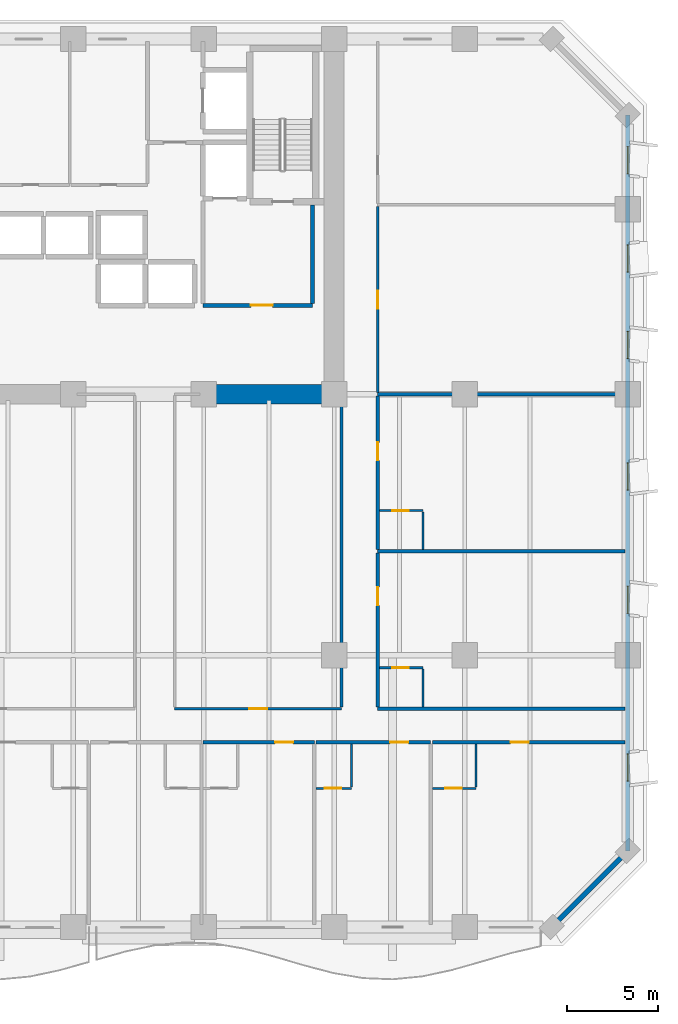
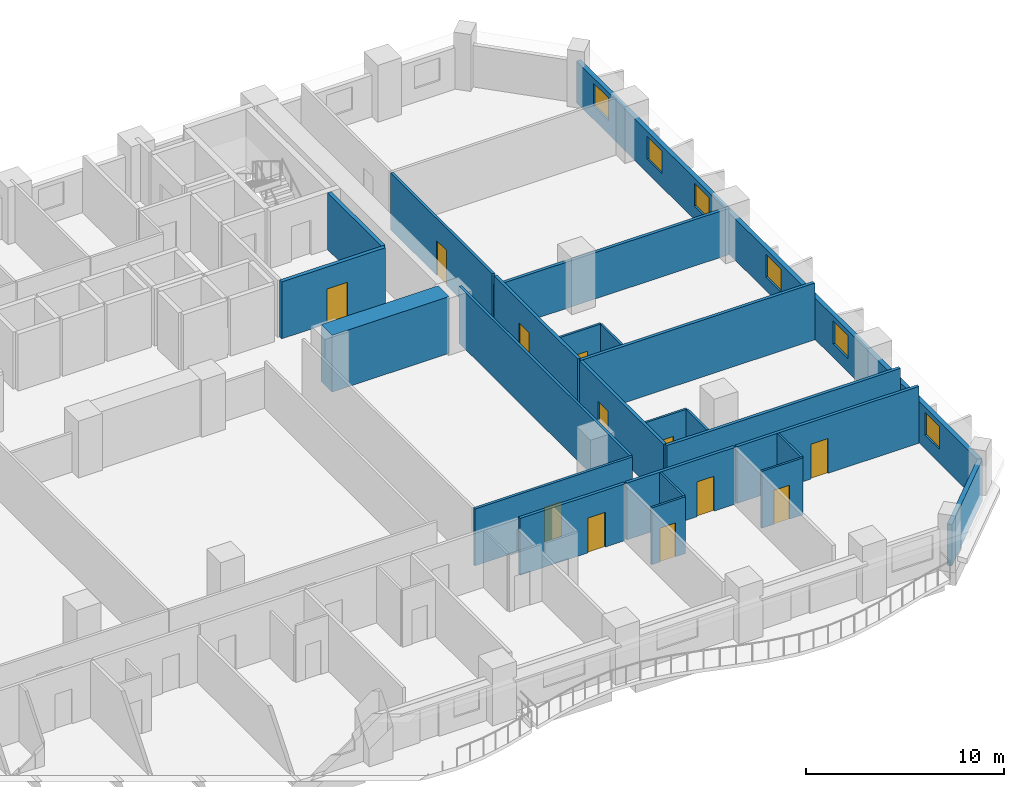
# One storey, part 10 of 15: 24 walls, 12 doors, 6 windows, 18 openings.
"""IFC4 building model written with IfcOpenShell, lengths in metres."""

import ifcopenshell
import ifcopenshell.guid

model = None  # the IFC model being written
_history = None  # IfcOwnerHistory: only IFC2X3 demands one
_inside = {}  # id of a spatial element -> (the spatial element, [elements in it])
_under = {}  # id of a project, library or spatial element -> (it, [spatial elements below it])
_declared = {}  # id of a project -> (the project, [libraries it declares])
_typed = {}  # id of a type object -> (the type object, [elements of that type])
_made_of = {}  # id of a material, layer set ... -> (it, [elements and type objects made of it])


def new_model(schema):
    """Start an empty IFC model of exactly this schema.

    Asked for "IFC4X3", IfcOpenShell would pick the latest addendum, in which some entities
    have other attributes; the version numbers below select the first issue.
    IFC2X3 requires an IfcOwnerHistory on every rooted entity: one is made here for all.
    """
    global model, _history
    if schema == "IFC4X3":
        model = ifcopenshell.file(schema_version=(4, 3, 0, 0))
    else:
        model = ifcopenshell.file(schema=schema)
    _inside.clear()
    _under.clear()
    _declared.clear()
    _typed.clear()
    _made_of.clear()
    _history = None
    if model.schema == "IFC2X3":
        org = make("IfcOrganization", Name="unknown")
        user = make(
            "IfcPersonAndOrganization",
            ThePerson=make("IfcPerson", FamilyName="unknown"),
            TheOrganization=org,
        )
        app = make(
            "IfcApplication",
            ApplicationDeveloper=org,
            Version="unknown",
            ApplicationFullName="unknown",
            ApplicationIdentifier="unknown",
        )
        _history = make(
            "IfcOwnerHistory",
            OwningUser=user,
            OwningApplication=app,
            ChangeAction="ADDED",
            CreationDate=0,
        )
    return model


def make(cls, **values):
    """One entity of the class cls with the attributes given. An attribute that is None is left unset."""
    return model.create_entity(
        cls, **{name: value for name, value in values.items() if value is not None}
    )


def rooted(cls, **values):
    """An entity with a GlobalId (a new one), such as an element, a storey or a relation."""
    return make(cls, GlobalId=ifcopenshell.guid.new(), OwnerHistory=_history, **values)


def si_unit(unit_type, name, prefix=None):
    """IfcSIUnit, for example si_unit("LENGTHUNIT", "METRE", prefix="MILLI")."""
    return make("IfcSIUnit", UnitType=unit_type, Prefix=prefix, Name=name)


def assignment(units):
    """IfcUnitAssignment: the units of a project."""
    return None if units is None else make("IfcUnitAssignment", Units=units)


def point(xyz):
    """IfcCartesianPoint."""
    return None if xyz is None else make("IfcCartesianPoint", Coordinates=xyz)


def direction(xyz):
    """IfcDirection."""
    return None if xyz is None else make("IfcDirection", DirectionRatios=xyz)


def frame(location, z_axis=None, x_axis=None):
    """IfcAxis2Placement3D, a coordinate frame: its origin and axes. An axis left out is left unset."""
    return make(
        "IfcAxis2Placement3D",
        Location=point(location),
        Axis=direction(z_axis),
        RefDirection=direction(x_axis),
    )


def frame_2d(location, x_axis=None):
    """IfcAxis2Placement2D, a coordinate frame in the plane: its origin and x axis."""
    return make(
        "IfcAxis2Placement2D", Location=point(location), RefDirection=direction(x_axis)
    )


def origin():
    """The frame at (0, 0, 0) with its axes left unset."""
    return frame((0.0, 0.0, 0.0))


def place(relative_to, where):
    """IfcLocalPlacement: puts the frame where relative to a parent placement (None: the world)."""
    return make(
        "IfcLocalPlacement", PlacementRelTo=relative_to, RelativePlacement=where
    )


def context(
    kind, dimensions, precision=None, world=None, true_north=None, identifier=None
):
    """IfcGeometricRepresentationContext, for example the 3D "Model" context."""
    return make(
        "IfcGeometricRepresentationContext",
        ContextIdentifier=identifier,
        ContextType=kind,
        CoordinateSpaceDimension=dimensions,
        Precision=precision,
        WorldCoordinateSystem=world,
        TrueNorth=true_north,
    )


def subcontext(parent, identifier, kind, view, scale=None):
    """IfcGeometricRepresentationSubContext, for example "Body" below "Model"."""
    return make(
        "IfcGeometricRepresentationSubContext",
        ContextIdentifier=identifier,
        ContextType=kind,
        ParentContext=parent,
        TargetScale=scale,
        TargetView=view,
    )


def project(units=None, contexts=None):
    """IfcProject with its units and contexts."""
    return rooted(
        "IfcProject",
        Name="project",
        RepresentationContexts=contexts,
        UnitsInContext=assignment(units),
    )


def spatial(cls, under=None, at=None, **own):
    """A site, building, storey or space (cls), placed at a placement, below another one or the project."""
    s = rooted(cls, ObjectPlacement=at, **own)
    if under is not None:
        _under.setdefault(under.id(), (under, []))[1].append(s)
    return s


def profile(cls, at=None, kind="AREA", **sizes):
    """A parametric profile (cls). Its sizes go by their IFC names, for example OverallWidth=200.0."""
    return make(cls, ProfileType=kind, Position=at, **sizes)


def rectangle(**sizes):
    """IfcRectangleProfileDef."""
    return profile("IfcRectangleProfileDef", **sizes)


def extrude(swept, where, along, depth):
    """IfcExtrudedAreaSolid: the profile swept, set in the frame where, extruded along a direction by depth."""
    return make(
        "IfcExtrudedAreaSolid",
        SweptArea=swept,
        Position=where,
        ExtrudedDirection=direction(along),
        Depth=depth,
    )


def shape(context_of_items, identifier, shape_type, items):
    """IfcShapeRepresentation: the items that make up one representation, for example the "Body"."""
    return make(
        "IfcShapeRepresentation",
        ContextOfItems=context_of_items,
        RepresentationIdentifier=identifier,
        RepresentationType=shape_type,
        Items=items,
    )


def material(Name=None, Category=None):
    """IfcMaterial."""
    return make("IfcMaterial", Name=Name, Category=Category)


def layer(
    of_material, thickness, ventilated=None, Name=None, Category=None, Priority=None
):
    """IfcMaterialLayer: one layer of a wall or slab, of a material (None: an air gap)."""
    return make(
        "IfcMaterialLayer",
        Material=of_material,
        LayerThickness=thickness,
        IsVentilated=ventilated,
        Name=Name,
        Category=Category,
        Priority=Priority,
    )


def layer_set(layers, Name=None):
    """IfcMaterialLayerSet."""
    return make("IfcMaterialLayerSet", MaterialLayers=layers, LayerSetName=Name)


def made_of(thing, what):
    """Note that an element or type object is made of a material, layer set ...; save() writes the relation."""
    if what is not None:
        _made_of.setdefault(what.id(), (what, []))[1].append(thing)
    return thing


def type_object(cls, material=None, **own):
    """A type object (cls), such as IfcWallType, which elements share."""
    return made_of(rooted(cls, **own), material)


def element(
    cls,
    number,
    at=None,
    inside=None,
    cuts=None,
    type_object=None,
    material=None,
    context=None,
    identifier="Body",
    shape_type=None,
    held_by="IfcProductDefinitionShape",
    body=None,
    shapes=None,
    **own,
):
    """One element of the class cls, such as IfcWall. Its Tag is "e" and its number.

    at: its placement. inside: the storey or other place that contains it. cuts: it is an
    opening in that element (IfcRelVoidsElement). A single representation is given by context,
    identifier, shape_type and body (its items); several are given by shapes. held_by: the class
    of the entity that holds the representations. save() writes the other relations.
    """
    e = rooted(cls, Tag="e%d" % number, ObjectPlacement=at, **own)
    if body is not None:
        shapes = [shape(context, identifier, shape_type, body)]
    if shapes is not None:
        e.Representation = make(held_by, Representations=shapes)
    if inside is not None:
        _inside.setdefault(inside.id(), (inside, []))[1].append(e)
    if cuts is not None:
        rooted(
            "IfcRelVoidsElement", RelatingBuildingElement=cuts, RelatedOpeningElement=e
        )
    if type_object is not None:
        _typed.setdefault(type_object.id(), (type_object, []))[1].append(e)
    return made_of(e, material)


def fill(opening, filler):
    """IfcRelFillsElement: the door or window that sits in an opening."""
    return rooted(
        "IfcRelFillsElement",
        RelatingOpeningElement=opening,
        RelatedBuildingElement=filler,
    )


def aggregate(whole, parts):
    """IfcRelAggregates: a whole, such as a stair, and the parts it consists of."""
    return rooted("IfcRelAggregates", RelatingObject=whole, RelatedObjects=parts)


def save(model, path):
    """Write the relations noted so far, then the file.

    IfcRelAggregates (storeys below a building ...), IfcRelContainedInSpatialStructure (elements
    in a storey), IfcRelDefinesByType, IfcRelAssociatesMaterial and IfcRelDeclares: one each for
    every whole, place, type object, material and project.
    """
    for whole, parts in _under.values():
        aggregate(whole, parts)
    for where, things in _inside.values():
        rooted(
            "IfcRelContainedInSpatialStructure",
            RelatedElements=things,
            RelatingStructure=where,
        )
    for kind, things in _typed.values():
        rooted("IfcRelDefinesByType", RelatedObjects=things, RelatingType=kind)
    for what, things in _made_of.values():
        rooted("IfcRelAssociatesMaterial", RelatedObjects=things, RelatingMaterial=what)
    for by, libraries in _declared.values():
        rooted("IfcRelDeclares", RelatingContext=by, RelatedDefinitions=libraries)
    model.write(path)


model = new_model("IFC4")

# Units and contexts
model_context = context("Model", 3, precision=1e-05, world=origin(), true_north=direction((0.0, 1.0)))
body_context = subcontext(model_context, "Body", "Model", "MODEL_VIEW")
ifc_project = project(units=[si_unit("LENGTHUNIT", "METRE"), si_unit("AREAUNIT", "SQUARE_METRE"), si_unit("VOLUMEUNIT", "CUBIC_METRE"), si_unit("PLANEANGLEUNIT", "RADIAN"), si_unit("MASSUNIT", "GRAM", prefix="KILO")], contexts=[model_context])

# Site, building, storey
site_placement = place(None, origin())
site = spatial("IfcSite", under=ifc_project, at=site_placement, CompositionType="ELEMENT")
building_placement = place(site_placement, origin())
building = spatial("IfcBuilding", under=site, at=building_placement, Name="Kaelvorn Grand Hotel", CompositionType="ELEMENT")
storey_placement = place(building_placement, frame((0.0, 0.0, 38.89990234375)))
storey = spatial("IfcBuildingStorey", under=building, at=storey_placement, Name="L07", CompositionType="ELEMENT", Elevation=38.89990234375)

# Walls
ifc_material_1 = material(Name="Concrete C80/95", Category="concrete")
ifc_layer_1 = layer(ifc_material_1, 1.10009765625)
ifc_layer_set_1 = layer_set([ifc_layer_1], Name="Concrete C80/95")
wall_type_1 = type_object("IfcWallType", Name="WL-CORE-1100-C80", PredefinedType="SHEAR", material=ifc_layer_set_1)
wall_1_placement = place(storey_placement, frame((60.39990234375, 29.39990234375, 0.0), z_axis=(0.0, 0.0, 1.0), x_axis=(1.0, 0.0, 0.0)))
element("IfcWall", 1, at=wall_1_placement, inside=storey, type_object=wall_type_1, Name="L07 Rear-Core Coupled Shear Pier S4", PredefinedType="SHEAR", context=body_context, shape_type="SweptSolid", body=[
    extrude(rectangle(XDim=6.84521484375, YDim=1.10009765625, at=frame_2d((3.422607421875, 0.0))), origin(), (0.0, 0.0, 1.0), 3.510009765625),
])
ifc_material_2 = material(Name="Concrete C40/50", Category="concrete")
ifc_layer_2 = layer(ifc_material_2, 0.260009765625)
ifc_layer_set_2 = layer_set([ifc_layer_2], Name="Concrete C40/50")
wall_type_2 = type_object("IfcWallType", Name="WL-EXT-260-C40", PredefinedType="SOLIDWALL", material=ifc_layer_set_2)
wall_2_placement = place(storey_placement, frame((79.800048828125, 0.0, 0.0), z_axis=(0.0, 0.0, 1.0), x_axis=(0.707106781187, 0.707106781187, 0.0)))
element("IfcWall", 2, at=wall_2_placement, inside=storey, type_object=wall_type_2, Name="L07 Exterior Architectural Concrete Wall 02", PredefinedType="SOLIDWALL", context=body_context, shape_type="SweptSolid", body=[
    extrude(rectangle(XDim=5.939697265625, YDim=0.260009765625, at=frame_2d((2.9697265625, 0.0))), origin(), (0.0, 0.0, 1.0), 2.56005859375),
])

# Wall, openings, windows
wall_3_placement = place(storey_placement, frame((84.0, 4.199951171875, 0.0), z_axis=(0.0, 0.0, 1.0), x_axis=(0.0, 1.0, 0.0)))
wall_3 = element("IfcWall", 3, at=wall_3_placement, inside=storey, type_object=wall_type_2, Name="L07 Exterior Architectural Concrete Wall 03", PredefinedType="SOLIDWALL", context=body_context, shape_type="SweptSolid", body=[
    extrude(rectangle(XDim=40.60009765625, YDim=0.260009765625, at=frame_2d((20.300048828125, 0.0))), origin(), (0.0, 0.0, 1.0), 2.56005859375),
])
opening_1_placement = place(wall_3_placement, frame((3.85009765625, 0.0, 0.85009765625)))
opening_1 = element("IfcOpeningElement", 4, at=opening_1_placement, cuts=wall_3, Name="Opening W10", PredefinedType="OPENING", context=body_context, shape_type="SweptSolid", body=[
    extrude(rectangle(XDim=1.5, YDim=1.39990234375, at=frame_2d((0.75, 0.699951171875))), frame((0.0, 0.14013671875, 0.0), z_axis=(0.0, -1.0, 0.0), x_axis=(1.0, 0.0, 0.0)), (0.0, 0.0, 1.0), 0.280029296875),
])
opening_2_placement = place(wall_3_placement, frame((13.114990234375, 0.0, 0.85009765625)))
opening_2 = element("IfcOpeningElement", 5, at=opening_2_placement, cuts=wall_3, Name="Opening W10", PredefinedType="OPENING", context=body_context, shape_type="SweptSolid", body=[
    extrude(rectangle(XDim=1.5, YDim=1.39990234375, at=frame_2d((0.75, 0.699951171875))), frame((0.0, 0.14013671875, 0.0), z_axis=(0.0, -1.0, 0.0), x_axis=(1.0, 0.0, 0.0)), (0.0, 0.0, 1.0), 0.280029296875),
])
opening_3_placement = place(wall_3_placement, frame((19.9150390625, 0.0, 0.85009765625)))
opening_3 = element("IfcOpeningElement", 6, at=opening_3_placement, cuts=wall_3, Name="Opening W10", PredefinedType="OPENING", context=body_context, shape_type="SweptSolid", body=[
    extrude(rectangle(XDim=1.5, YDim=1.39990234375, at=frame_2d((0.75, 0.699951171875))), frame((0.0, 0.14013671875, 0.0), z_axis=(0.0, -1.0, 0.0), x_axis=(1.0, 0.0, 0.0)), (0.0, 0.0, 1.0), 0.280029296875),
])
opening_4_placement = place(wall_3_placement, frame((27.1650390625, 0.0, 0.85009765625)))
opening_4 = element("IfcOpeningElement", 7, at=opening_4_placement, cuts=wall_3, Name="Opening W10", PredefinedType="OPENING", context=body_context, shape_type="SweptSolid", body=[
    extrude(rectangle(XDim=1.5, YDim=1.39990234375, at=frame_2d((0.75, 0.699951171875))), frame((0.0, 0.14013671875, 0.0), z_axis=(0.0, -1.0, 0.0), x_axis=(1.0, 0.0, 0.0)), (0.0, 0.0, 1.0), 0.280029296875),
])
opening_5_placement = place(wall_3_placement, frame((31.93505859375, 0.0, 0.85009765625)))
opening_5 = element("IfcOpeningElement", 8, at=opening_5_placement, cuts=wall_3, Name="Opening W10", PredefinedType="OPENING", context=body_context, shape_type="SweptSolid", body=[
    extrude(rectangle(XDim=1.5, YDim=1.39990234375, at=frame_2d((0.75, 0.699951171875))), frame((0.0, 0.14013671875, 0.0), z_axis=(0.0, -1.0, 0.0), x_axis=(1.0, 0.0, 0.0)), (0.0, 0.0, 1.0), 0.280029296875),
])
opening_6_placement = place(wall_3_placement, frame((37.364990234375, 0.0, 0.85009765625)))
opening_6 = element("IfcOpeningElement", 9, at=opening_6_placement, cuts=wall_3, Name="Opening W10", PredefinedType="OPENING", context=body_context, shape_type="SweptSolid", body=[
    extrude(rectangle(XDim=1.5, YDim=1.39990234375, at=frame_2d((0.75, 0.699951171875))), frame((0.0, 0.14013671875, 0.0), z_axis=(0.0, -1.0, 0.0), x_axis=(1.0, 0.0, 0.0)), (0.0, 0.0, 1.0), 0.280029296875),
])
ifc_material_3 = material(Name="Laminated Low-E Glass", Category="glass")
window_type = type_object("IfcWindowType", Name="WIN-COR-1500x1400", PartitioningType="SINGLE_PANEL", PredefinedType="WINDOW", material=ifc_material_3)
window_1_placement = place(opening_1_placement, origin())
window_1 = element("IfcWindow", 10, at=window_1_placement, inside=storey, type_object=window_type, Name="L07 E Wing Tilted-Frame Ribbon Window E01", OverallHeight=1.39990234375, OverallWidth=1.5, PartitioningType="SINGLE_PANEL", PredefinedType="WINDOW", context=body_context, shape_type="SweptSolid", body=[
    extrude(rectangle(XDim=1.5, YDim=1.39990234375, at=frame_2d((0.75, 0.699951171875))), frame((0.0, 0.030029296875, 0.0), z_axis=(0.0, -1.0, 0.0), x_axis=(1.0, 0.0, 0.0)), (0.0, 0.0, 1.0), 0.06005859375),
])
fill(opening_1, window_1)
window_2_placement = place(opening_2_placement, origin())
window_2 = element("IfcWindow", 11, at=window_2_placement, inside=storey, type_object=window_type, Name="L07 E Wing Tilted-Frame Ribbon Window E02", OverallHeight=1.39990234375, OverallWidth=1.5, PartitioningType="SINGLE_PANEL", PredefinedType="WINDOW", context=body_context, shape_type="SweptSolid", body=[
    extrude(rectangle(XDim=1.5, YDim=1.39990234375, at=frame_2d((0.75, 0.699951171875))), frame((0.0, 0.030029296875, 0.0), z_axis=(0.0, -1.0, 0.0), x_axis=(1.0, 0.0, 0.0)), (0.0, 0.0, 1.0), 0.06005859375),
])
fill(opening_2, window_2)
window_3_placement = place(opening_3_placement, origin())
window_3 = element("IfcWindow", 12, at=window_3_placement, inside=storey, type_object=window_type, Name="L07 E Wing Tilted-Frame Ribbon Window E03", OverallHeight=1.39990234375, OverallWidth=1.5, PartitioningType="SINGLE_PANEL", PredefinedType="WINDOW", context=body_context, shape_type="SweptSolid", body=[
    extrude(rectangle(XDim=1.5, YDim=1.39990234375, at=frame_2d((0.75, 0.699951171875))), frame((0.0, 0.030029296875, 0.0), z_axis=(0.0, -1.0, 0.0), x_axis=(1.0, 0.0, 0.0)), (0.0, 0.0, 1.0), 0.06005859375),
])
fill(opening_3, window_3)
window_4_placement = place(opening_4_placement, origin())
window_4 = element("IfcWindow", 13, at=window_4_placement, inside=storey, type_object=window_type, Name="L07 E Wing Tilted-Frame Ribbon Window E04", OverallHeight=1.39990234375, OverallWidth=1.5, PartitioningType="SINGLE_PANEL", PredefinedType="WINDOW", context=body_context, shape_type="SweptSolid", body=[
    extrude(rectangle(XDim=1.5, YDim=1.39990234375, at=frame_2d((0.75, 0.699951171875))), frame((0.0, 0.030029296875, 0.0), z_axis=(0.0, -1.0, 0.0), x_axis=(1.0, 0.0, 0.0)), (0.0, 0.0, 1.0), 0.06005859375),
])
fill(opening_4, window_4)
window_5_placement = place(opening_5_placement, origin())
window_5 = element("IfcWindow", 14, at=window_5_placement, inside=storey, type_object=window_type, Name="L07 E Wing Tilted-Frame Ribbon Window E05", OverallHeight=1.39990234375, OverallWidth=1.5, PartitioningType="SINGLE_PANEL", PredefinedType="WINDOW", context=body_context, shape_type="SweptSolid", body=[
    extrude(rectangle(XDim=1.5, YDim=1.39990234375, at=frame_2d((0.75, 0.699951171875))), frame((0.0, 0.030029296875, 0.0), z_axis=(0.0, -1.0, 0.0), x_axis=(1.0, 0.0, 0.0)), (0.0, 0.0, 1.0), 0.06005859375),
])
fill(opening_5, window_5)
window_6_placement = place(opening_6_placement, origin())
window_6 = element("IfcWindow", 15, at=window_6_placement, inside=storey, type_object=window_type, Name="L07 E Wing Tilted-Frame Ribbon Window E06", OverallHeight=1.39990234375, OverallWidth=1.5, PartitioningType="SINGLE_PANEL", PredefinedType="WINDOW", context=body_context, shape_type="SweptSolid", body=[
    extrude(rectangle(XDim=1.5, YDim=1.39990234375, at=frame_2d((0.75, 0.699951171875))), frame((0.0, 0.030029296875, 0.0), z_axis=(0.0, -1.0, 0.0), x_axis=(1.0, 0.0, 0.0)), (0.0, 0.0, 1.0), 0.06005859375),
])
fill(opening_6, window_6)

# Wall, opening, door
ifc_material_4 = material(Name="Moisture-Resistant Tile & Stud Board")
ifc_layer_3 = layer(ifc_material_4, 0.125)
ifc_layer_set_3 = layer_set([ifc_layer_3], Name="Moisture-Resistant Tile & Stud Board")
wall_type_3 = type_object("IfcWallType", Name="WL-PART-125-WET", PredefinedType="PARTITIONING", material=ifc_layer_set_3)
wall_4_placement = place(storey_placement, frame((66.793701171875, 7.64990234375, 0.0), z_axis=(0.0, 0.0, 1.0), x_axis=(1.0, 0.0, 0.0)))
wall_4 = element("IfcWall", 16, at=wall_4_placement, inside=storey, type_object=wall_type_3, Name="L07 En-suite Bathroom L07-11 S Partition", PredefinedType="PARTITIONING", context=body_context, shape_type="SweptSolid", body=[
    extrude(rectangle(XDim=1.965087890625, YDim=0.125, at=frame_2d((0.982421875, 0.0))), origin(), (0.0, 0.0, 1.0), 3.510009765625),
])
opening_7_placement = place(wall_4_placement, frame((0.485107421875, 0.0, 0.0)))
opening_7 = element("IfcOpeningElement", 17, at=opening_7_placement, cuts=wall_4, Name="Opening DI4", PredefinedType="OPENING", context=body_context, shape_type="SweptSolid", body=[
    extrude(rectangle(XDim=0.89990234375, YDim=2.10009765625, at=frame_2d((0.449951171875, 1.050048828125))), frame((0.0, 0.072509765625, 0.0), z_axis=(0.0, -1.0, 0.0), x_axis=(1.0, 0.0, 0.0)), (0.0, 0.0, 1.0), 0.14501953125),
])
ifc_material_5 = material(Name="Timber Veneer Leaf", Category="wood")
door_type_1 = type_object("IfcDoorType", Name="DR-INT-BATH-900x2100", OperationType="NOTDEFINED", PredefinedType="DOOR", material=ifc_material_5)
door_1_placement = place(opening_7_placement, origin())
door_1 = element("IfcDoor", 18, at=door_1_placement, inside=storey, type_object=door_type_1, Name="L07 En-suite Bathroom L07-11 Door", OperationType="SINGLE_SWING_RIGHT", OverallHeight=2.10009765625, OverallWidth=0.89990234375, PredefinedType="DOOR", context=body_context, shape_type="SweptSolid", body=[
    extrude(rectangle(XDim=0.89990234375, YDim=2.10009765625, at=frame_2d((0.449951171875, 1.050048828125))), frame((0.0, 0.02490234375, 0.0), z_axis=(0.0, -1.0, 0.0), x_axis=(1.0, 0.0, 0.0)), (0.0, 0.0, 1.0), 0.050048828125),
])
fill(opening_7, door_1)

# Wall
wall_5_placement = place(storey_placement, frame((68.7587890625, 7.717529296875, 0.0), z_axis=(0.0, 0.0, 1.0), x_axis=(0.0, 1.0, 0.0)))
element("IfcWall", 19, at=wall_5_placement, inside=storey, type_object=wall_type_3, Name="L07 En-suite Bathroom L07-11 E Partition", PredefinedType="PARTITIONING", context=body_context, shape_type="SweptSolid", body=[
    extrude(rectangle(XDim=2.387451171875, YDim=0.125, at=frame_2d((1.19384765625, 0.0))), origin(), (0.0, 0.0, 1.0), 3.510009765625),
])

# Wall, opening, door
wall_6_placement = place(storey_placement, frame((73.21923828125, 7.64990234375, 0.0), z_axis=(0.0, 0.0, 1.0), x_axis=(1.0, 0.0, 0.0)))
wall_6 = element("IfcWall", 20, at=wall_6_placement, inside=storey, type_object=wall_type_3, Name="L07 En-suite Bathroom L07-12 S Partition", PredefinedType="PARTITIONING", context=body_context, shape_type="SweptSolid", body=[
    extrude(rectangle(XDim=2.405029296875, YDim=0.125, at=frame_2d((1.20263671875, 0.0))), origin(), (0.0, 0.0, 1.0), 3.510009765625),
])
opening_8_placement = place(wall_6_placement, frame((0.705078125, 0.0, 0.0)))
opening_8 = element("IfcOpeningElement", 21, at=opening_8_placement, cuts=wall_6, Name="Opening DI4", PredefinedType="OPENING", context=body_context, shape_type="SweptSolid", body=[
    extrude(rectangle(XDim=0.89990234375, YDim=2.10009765625, at=frame_2d((0.449951171875, 1.050048828125))), frame((0.0, 0.072509765625, 0.0), z_axis=(0.0, -1.0, 0.0), x_axis=(1.0, 0.0, 0.0)), (0.0, 0.0, 1.0), 0.14501953125),
])
door_2_placement = place(opening_8_placement, origin())
door_2 = element("IfcDoor", 22, at=door_2_placement, inside=storey, type_object=door_type_1, Name="L07 En-suite Bathroom L07-12 Door", OperationType="SINGLE_SWING_RIGHT", OverallHeight=2.10009765625, OverallWidth=0.89990234375, PredefinedType="DOOR", context=body_context, shape_type="SweptSolid", body=[
    extrude(rectangle(XDim=0.89990234375, YDim=2.10009765625, at=frame_2d((0.449951171875, 1.050048828125))), frame((0.0, 0.02490234375, 0.0), z_axis=(0.0, -1.0, 0.0), x_axis=(1.0, 0.0, 0.0)), (0.0, 0.0, 1.0), 0.050048828125),
])
fill(opening_8, door_2)

# Wall
wall_7_placement = place(storey_placement, frame((75.624267578125, 7.717529296875, 0.0), z_axis=(0.0, 0.0, 1.0), x_axis=(0.0, 1.0, 0.0)))
element("IfcWall", 23, at=wall_7_placement, inside=storey, type_object=wall_type_3, Name="L07 En-suite Bathroom L07-12 E Partition", PredefinedType="PARTITIONING", context=body_context, shape_type="SweptSolid", body=[
    extrude(rectangle(XDim=2.387451171875, YDim=0.125, at=frame_2d((1.19384765625, 0.0))), origin(), (0.0, 0.0, 1.0), 3.510009765625),
])

# Wall, opening, door
wall_8_placement = place(storey_placement, frame((70.294921875, 14.31005859375, 0.0), z_axis=(0.0, 0.0, 1.0), x_axis=(1.0, 0.0, 0.0)))
wall_8 = element("IfcWall", 24, at=wall_8_placement, inside=storey, type_object=wall_type_3, Name="L07 En-suite Bathroom L07-15 N Partition", PredefinedType="PARTITIONING", context=body_context, shape_type="SweptSolid", body=[
    extrude(rectangle(XDim=2.405029296875, YDim=0.125, at=frame_2d((1.20263671875, 0.0))), origin(), (0.0, 0.0, 1.0), 3.510009765625),
])
opening_9_placement = place(wall_8_placement, frame((0.705078125, 0.0, 0.0)))
opening_9 = element("IfcOpeningElement", 25, at=opening_9_placement, cuts=wall_8, Name="Opening DI4", PredefinedType="OPENING", context=body_context, shape_type="SweptSolid", body=[
    extrude(rectangle(XDim=0.89990234375, YDim=2.10009765625, at=frame_2d((0.449951171875, 1.050048828125))), frame((0.0, 0.072509765625, 0.0), z_axis=(0.0, -1.0, 0.0), x_axis=(1.0, 0.0, 0.0)), (0.0, 0.0, 1.0), 0.14501953125),
])
door_3_placement = place(opening_9_placement, origin())
door_3 = element("IfcDoor", 26, at=door_3_placement, inside=storey, type_object=door_type_1, Name="L07 En-suite Bathroom L07-15 Door", OperationType="SINGLE_SWING_RIGHT", OverallHeight=2.10009765625, OverallWidth=0.89990234375, PredefinedType="DOOR", context=body_context, shape_type="SweptSolid", body=[
    extrude(rectangle(XDim=0.89990234375, YDim=2.10009765625, at=frame_2d((0.449951171875, 1.050048828125))), frame((0.0, 0.02490234375, 0.0), z_axis=(0.0, -1.0, 0.0), x_axis=(1.0, 0.0, 0.0)), (0.0, 0.0, 1.0), 0.050048828125),
])
fill(opening_9, door_3)

# Wall
wall_9_placement = place(storey_placement, frame((72.699951171875, 12.14501953125, 0.0), z_axis=(0.0, 0.0, 1.0), x_axis=(0.0, 1.0, 0.0)))
element("IfcWall", 27, at=wall_9_placement, inside=storey, type_object=wall_type_3, Name="L07 En-suite Bathroom L07-15 E Partition", PredefinedType="PARTITIONING", context=body_context, shape_type="SweptSolid", body=[
    extrude(rectangle(XDim=2.097412109375, YDim=0.125, at=frame_2d((1.048828125, 0.0))), origin(), (0.0, 0.0, 1.0), 3.510009765625),
])

# Wall, opening, door
wall_10_placement = place(storey_placement, frame((70.294921875, 22.97998046875, 0.0), z_axis=(0.0, 0.0, 1.0), x_axis=(1.0, 0.0, 0.0)))
wall_10 = element("IfcWall", 28, at=wall_10_placement, inside=storey, type_object=wall_type_3, Name="L07 En-suite Bathroom L07-16 N Partition", PredefinedType="PARTITIONING", context=body_context, shape_type="SweptSolid", body=[
    extrude(rectangle(XDim=2.405029296875, YDim=0.125, at=frame_2d((1.20263671875, 0.0))), origin(), (0.0, 0.0, 1.0), 3.510009765625),
])
opening_10_placement = place(wall_10_placement, frame((0.705078125, 0.0, 0.0)))
opening_10 = element("IfcOpeningElement", 29, at=opening_10_placement, cuts=wall_10, Name="Opening DI4", PredefinedType="OPENING", context=body_context, shape_type="SweptSolid", body=[
    extrude(rectangle(XDim=0.89990234375, YDim=2.10009765625, at=frame_2d((0.449951171875, 1.050048828125))), frame((0.0, 0.072509765625, 0.0), z_axis=(0.0, -1.0, 0.0), x_axis=(1.0, 0.0, 0.0)), (0.0, 0.0, 1.0), 0.14501953125),
])
door_4_placement = place(opening_10_placement, origin())
door_4 = element("IfcDoor", 30, at=door_4_placement, inside=storey, type_object=door_type_1, Name="L07 En-suite Bathroom L07-16 Door", OperationType="SINGLE_SWING_RIGHT", OverallHeight=2.10009765625, OverallWidth=0.89990234375, PredefinedType="DOOR", context=body_context, shape_type="SweptSolid", body=[
    extrude(rectangle(XDim=0.89990234375, YDim=2.10009765625, at=frame_2d((0.449951171875, 1.050048828125))), frame((0.0, 0.02490234375, 0.0), z_axis=(0.0, -1.0, 0.0), x_axis=(1.0, 0.0, 0.0)), (0.0, 0.0, 1.0), 0.050048828125),
])
fill(opening_10, door_4)

# Wall
wall_11_placement = place(storey_placement, frame((72.699951171875, 20.824951171875, 0.0), z_axis=(0.0, 0.0, 1.0), x_axis=(0.0, 1.0, 0.0)))
element("IfcWall", 31, at=wall_11_placement, inside=storey, type_object=wall_type_3, Name="L07 En-suite Bathroom L07-16 E Partition", PredefinedType="PARTITIONING", context=body_context, shape_type="SweptSolid", body=[
    extrude(rectangle(XDim=2.087646484375, YDim=0.125, at=frame_2d((1.0439453125, 0.0))), origin(), (0.0, 0.0, 1.0), 3.510009765625),
])

# Wall, opening, door
ifc_material_6 = material(Name="Acoustic Gypsum & Stud Partition")
ifc_layer_4 = layer(ifc_material_6, 0.14990234375)
ifc_layer_set_4 = layer_set([ifc_layer_4], Name="Acoustic Gypsum & Stud Partition")
wall_type_4 = type_object("IfcWallType", Name="WL-PART-150-EI60", PredefinedType="PARTITIONING", material=ifc_layer_set_4)
wall_12_placement = place(storey_placement, frame((59.0, 12.050048828125, 0.0), z_axis=(0.0, 0.0, 1.0), x_axis=(1.0, 0.0, 0.0)))
wall_12 = element("IfcWall", 32, at=wall_12_placement, inside=storey, type_object=wall_type_4, Name="L07 Wellness Fitness Gym S Partition", PredefinedType="PARTITIONING", context=body_context, shape_type="SweptSolid", body=[
    extrude(rectangle(XDim=9.199951171875, YDim=0.14990234375, at=frame_2d((4.60009765625, 0.0))), origin(), (0.0, 0.0, 1.0), 3.510009765625),
])
opening_11_placement = place(wall_12_placement, frame((4.10009765625, 0.0, 0.0)))
opening_11 = element("IfcOpeningElement", 33, at=opening_11_placement, cuts=wall_12, Name="Opening DI3", PredefinedType="OPENING", context=body_context, shape_type="SweptSolid", body=[
    extrude(rectangle(XDim=1.0, YDim=2.14990234375, at=frame_2d((0.5, 1.074951171875))), frame((0.0, 0.0849609375, 0.0), z_axis=(0.0, -1.0, 0.0), x_axis=(1.0, 0.0, 0.0)), (0.0, 0.0, 1.0), 0.169921875),
])
ifc_material_7 = material(Name="Timber Veneer Fire Leaf", Category="wood")
door_type_2 = type_object("IfcDoorType", Name="DR-INT-GUEST-1000x2150", OperationType="NOTDEFINED", PredefinedType="DOOR", material=ifc_material_7)
door_5_placement = place(opening_11_placement, origin())
door_5 = element("IfcDoor", 34, at=door_5_placement, inside=storey, type_object=door_type_2, Name="L07 Wellness Fitness Gym Door", OperationType="SINGLE_SWING_RIGHT", OverallHeight=2.14990234375, OverallWidth=1.0, PredefinedType="DOOR", context=body_context, shape_type="SweptSolid", body=[
    extrude(rectangle(XDim=1.0, YDim=2.14990234375, at=frame_2d((0.5, 1.074951171875))), frame((0.0, 0.02490234375, 0.0), z_axis=(0.0, -1.0, 0.0), x_axis=(1.0, 0.0, 0.0)), (0.0, 0.0, 1.0), 0.050048828125),
])
fill(opening_11, door_5)

# Wall
wall_13_placement = place(storey_placement, frame((68.199951171875, 12.1298828125, 0.0), z_axis=(0.0, 0.0, 1.0), x_axis=(0.0, 1.0, 0.0)))
element("IfcWall", 35, at=wall_13_placement, inside=storey, type_object=wall_type_4, Name="L07 Wellness Fitness Gym E Partition", PredefinedType="PARTITIONING", context=body_context, shape_type="SweptSolid", body=[
    extrude(rectangle(XDim=17.260009765625, YDim=0.14990234375, at=frame_2d((8.6298828125, 0.0))), origin(), (0.0, 0.0, 1.0), 3.510009765625),
])

# Wall, opening, door
wall_14_placement = place(storey_placement, frame((70.199951171875, 29.4951171875, 0.0), z_axis=(0.0, 0.0, 1.0), x_axis=(0.0, 1.0, 0.0)))
wall_14 = element("IfcWall", 36, at=wall_14_placement, inside=storey, type_object=wall_type_4, Name="L07 North-East Wellness Fitness Gym W Partition", PredefinedType="PARTITIONING", context=body_context, shape_type="SweptSolid", body=[
    extrude(rectangle(XDim=10.27490234375, YDim=0.14990234375, at=frame_2d((5.137451171875, 0.0))), origin(), (0.0, 0.0, 1.0), 3.510009765625),
])
opening_12_placement = place(wall_14_placement, frame((4.625, 0.0, 0.0)))
opening_12 = element("IfcOpeningElement", 37, at=opening_12_placement, cuts=wall_14, Name="Opening DI3", PredefinedType="OPENING", context=body_context, shape_type="SweptSolid", body=[
    extrude(rectangle(XDim=1.0, YDim=2.14990234375, at=frame_2d((0.5, 1.074951171875))), frame((0.0, 0.0849609375, 0.0), z_axis=(0.0, -1.0, 0.0), x_axis=(1.0, 0.0, 0.0)), (0.0, 0.0, 1.0), 0.169921875),
])
door_6_placement = place(opening_12_placement, origin())
door_6 = element("IfcDoor", 38, at=door_6_placement, inside=storey, type_object=door_type_2, Name="L07 North-East Wellness Fitness Gym Door", OperationType="SINGLE_SWING_LEFT", OverallHeight=2.14990234375, OverallWidth=1.0, PredefinedType="DOOR", context=body_context, shape_type="SweptSolid", body=[
    extrude(rectangle(XDim=1.0, YDim=2.14990234375, at=frame_2d((0.5, 1.074951171875))), frame((0.0, 0.02490234375, 0.0), z_axis=(0.0, -1.0, 0.0), x_axis=(1.0, 0.0, 0.0)), (0.0, 0.0, 1.0), 0.050048828125),
])
fill(opening_12, door_6)

ifc_layer_5 = layer(ifc_material_6, 0.179931640625)
ifc_layer_set_5 = layer_set([ifc_layer_5], Name="Acoustic Gypsum & Stud Partition")
wall_type_5 = type_object("IfcWallType", Name="WL-PART-180-EI60", PredefinedType="PARTITIONING", material=ifc_layer_set_5)
wall_15_placement = place(storey_placement, frame((60.56884765625, 10.199951171875, 0.0), z_axis=(0.0, 0.0, 1.0), x_axis=(1.0, 0.0, 0.0)))
wall_15 = element("IfcWall", 39, at=wall_15_placement, inside=storey, type_object=wall_type_5, Name="L07 Deluxe King Guest Room L07-10 N Partition", PredefinedType="PARTITIONING", context=body_context, shape_type="SweptSolid", body=[
    extrude(rectangle(XDim=6.1298828125, YDim=0.179931640625, at=frame_2d((3.06494140625, 0.0))), origin(), (0.0, 0.0, 1.0), 3.510009765625),
])
opening_13_placement = place(wall_15_placement, frame((3.96728515625, 0.0, 0.0)))
opening_13 = element("IfcOpeningElement", 40, at=opening_13_placement, cuts=wall_15, Name="Opening DI3", PredefinedType="OPENING", context=body_context, shape_type="SweptSolid", body=[
    extrude(rectangle(XDim=1.0, YDim=2.14990234375, at=frame_2d((0.5, 1.074951171875))), frame((0.0, 0.10009765625, 0.0), z_axis=(0.0, -1.0, 0.0), x_axis=(1.0, 0.0, 0.0)), (0.0, 0.0, 1.0), 0.199951171875),
])
door_7_placement = place(opening_13_placement, origin())
door_7 = element("IfcDoor", 41, at=door_7_placement, inside=storey, type_object=door_type_2, Name="L07 Deluxe King Guest Room L07-10 Door", OperationType="SINGLE_SWING_LEFT", OverallHeight=2.14990234375, OverallWidth=1.0, PredefinedType="DOOR", context=body_context, shape_type="SweptSolid", body=[
    extrude(rectangle(XDim=1.0, YDim=2.14990234375, at=frame_2d((0.5, 1.074951171875))), frame((0.0, 0.02490234375, 0.0), z_axis=(0.0, -1.0, 0.0), x_axis=(1.0, 0.0, 0.0)), (0.0, 0.0, 1.0), 0.050048828125),
])
fill(opening_13, door_7)

wall_16_placement = place(storey_placement, frame((66.793701171875, 10.199951171875, 0.0), z_axis=(0.0, 0.0, 1.0), x_axis=(1.0, 0.0, 0.0)))
wall_16 = element("IfcWall", 42, at=wall_16_placement, inside=storey, type_object=wall_type_5, Name="L07 Deluxe Panoramic Suite L07-11 N Partition", PredefinedType="PARTITIONING", context=body_context, shape_type="SweptSolid", body=[
    extrude(rectangle(XDim=6.33056640625, YDim=0.179931640625, at=frame_2d((3.165283203125, 0.0))), origin(), (0.0, 0.0, 1.0), 3.510009765625),
])
opening_14_placement = place(wall_16_placement, frame((4.097900390625, 0.0, 0.0)))
opening_14 = element("IfcOpeningElement", 43, at=opening_14_placement, cuts=wall_16, Name="Opening DI3", PredefinedType="OPENING", context=body_context, shape_type="SweptSolid", body=[
    extrude(rectangle(XDim=1.0, YDim=2.14990234375, at=frame_2d((0.5, 1.074951171875))), frame((0.0, 0.10009765625, 0.0), z_axis=(0.0, -1.0, 0.0), x_axis=(1.0, 0.0, 0.0)), (0.0, 0.0, 1.0), 0.199951171875),
])
door_8_placement = place(opening_14_placement, origin())
door_8 = element("IfcDoor", 44, at=door_8_placement, inside=storey, type_object=door_type_2, Name="L07 Deluxe Panoramic Suite L07-11 Door", OperationType="SINGLE_SWING_LEFT", OverallHeight=2.14990234375, OverallWidth=1.0, PredefinedType="DOOR", context=body_context, shape_type="SweptSolid", body=[
    extrude(rectangle(XDim=1.0, YDim=2.14990234375, at=frame_2d((0.5, 1.074951171875))), frame((0.0, 0.02490234375, 0.0), z_axis=(0.0, -1.0, 0.0), x_axis=(1.0, 0.0, 0.0)), (0.0, 0.0, 1.0), 0.050048828125),
])
fill(opening_14, door_8)

wall_17_placement = place(storey_placement, frame((73.21923828125, 10.199951171875, 0.0), z_axis=(0.0, 0.0, 1.0), x_axis=(1.0, 0.0, 0.0)))
wall_17 = element("IfcWall", 45, at=wall_17_placement, inside=storey, type_object=wall_type_5, Name="L07 Deluxe Panoramic Suite L07-12 N Partition", PredefinedType="PARTITIONING", context=body_context, shape_type="SweptSolid", body=[
    extrude(rectangle(XDim=10.630859375, YDim=0.179931640625, at=frame_2d((5.3154296875, 0.0))), origin(), (0.0, 0.0, 1.0), 3.510009765625),
])
opening_15_placement = place(wall_17_placement, frame((4.31787109375, 0.0, 0.0)))
opening_15 = element("IfcOpeningElement", 46, at=opening_15_placement, cuts=wall_17, Name="Opening DI3", PredefinedType="OPENING", context=body_context, shape_type="SweptSolid", body=[
    extrude(rectangle(XDim=1.0, YDim=2.14990234375, at=frame_2d((0.5, 1.074951171875))), frame((0.0, 0.10009765625, 0.0), z_axis=(0.0, -1.0, 0.0), x_axis=(1.0, 0.0, 0.0)), (0.0, 0.0, 1.0), 0.199951171875),
])
door_9_placement = place(opening_15_placement, origin())
door_9 = element("IfcDoor", 47, at=door_9_placement, inside=storey, type_object=door_type_2, Name="L07 Deluxe Panoramic Suite L07-12 Door", OperationType="SINGLE_SWING_LEFT", OverallHeight=2.14990234375, OverallWidth=1.0, PredefinedType="DOOR", context=body_context, shape_type="SweptSolid", body=[
    extrude(rectangle(XDim=1.0, YDim=2.14990234375, at=frame_2d((0.5, 1.074951171875))), frame((0.0, 0.02490234375, 0.0), z_axis=(0.0, -1.0, 0.0), x_axis=(1.0, 0.0, 0.0)), (0.0, 0.0, 1.0), 0.050048828125),
])
fill(opening_15, door_9)

# Walls
for number, where, z_axis, x_axis, name in (
    (48, (70.199951171875, 12.050048828125, 0.0), (0.0, 0.0, 1.0), (1.0, 0.0, 0.0), "L07 East Wing Panoramic Suite L07-15 S Partition"),
    (49, (70.199951171875, 20.72998046875, 0.0), (0.0, 0.0, 1.0), (1.0, 0.0, 0.0), "L07 East Wing Panoramic Suite L07-15 N Partition"),
):
    element("IfcWall", number, at=place(storey_placement, frame(where, z_axis=z_axis, x_axis=x_axis)), inside=storey, type_object=wall_type_5, Name=name, PredefinedType="PARTITIONING", context=body_context, shape_type="SweptSolid", body=[
        extrude(rectangle(XDim=13.650146484375, YDim=0.179931640625, at=frame_2d((6.8251953125, 0.0))), origin(), (0.0, 0.0, 1.0), 3.510009765625),
    ])

# Wall, opening, door
wall_18_placement = place(storey_placement, frame((70.199951171875, 12.14501953125, 0.0), z_axis=(0.0, 0.0, 1.0), x_axis=(0.0, 1.0, 0.0)))
wall_18 = element("IfcWall", 50, at=wall_18_placement, inside=storey, type_object=wall_type_5, Name="L07 East Wing Panoramic Suite L07-15 W Partition", PredefinedType="PARTITIONING", context=body_context, shape_type="SweptSolid", body=[
    extrude(rectangle(XDim=8.489990234375, YDim=0.179931640625, at=frame_2d((4.2451171875, 0.0))), origin(), (0.0, 0.0, 1.0), 3.510009765625),
])
opening_16_placement = place(wall_18_placement, frame((5.610107421875, 0.0, 0.0)))
opening_16 = element("IfcOpeningElement", 51, at=opening_16_placement, cuts=wall_18, Name="Opening DI3", PredefinedType="OPENING", context=body_context, shape_type="SweptSolid", body=[
    extrude(rectangle(XDim=1.0, YDim=2.14990234375, at=frame_2d((0.5, 1.074951171875))), frame((0.0, 0.10009765625, 0.0), z_axis=(0.0, -1.0, 0.0), x_axis=(1.0, 0.0, 0.0)), (0.0, 0.0, 1.0), 0.199951171875),
])
door_10_placement = place(opening_16_placement, origin())
door_10 = element("IfcDoor", 52, at=door_10_placement, inside=storey, type_object=door_type_2, Name="L07 East Wing Panoramic Suite L07-15 Door", OperationType="SINGLE_SWING_LEFT", OverallHeight=2.14990234375, OverallWidth=1.0, PredefinedType="DOOR", context=body_context, shape_type="SweptSolid", body=[
    extrude(rectangle(XDim=1.0, YDim=2.14990234375, at=frame_2d((0.5, 1.074951171875))), frame((0.0, 0.02490234375, 0.0), z_axis=(0.0, -1.0, 0.0), x_axis=(1.0, 0.0, 0.0)), (0.0, 0.0, 1.0), 0.050048828125),
])
fill(opening_16, door_10)

# Wall
wall_19_placement = place(storey_placement, frame((70.199951171875, 29.39990234375, 0.0), z_axis=(0.0, 0.0, 1.0), x_axis=(1.0, 0.0, 0.0)))
element("IfcWall", 53, at=wall_19_placement, inside=storey, type_object=wall_type_5, Name="L07 East Mid-Wing Suite L07-16 N Partition", PredefinedType="PARTITIONING", context=body_context, shape_type="SweptSolid", body=[
    extrude(rectangle(XDim=13.650146484375, YDim=0.179931640625, at=frame_2d((6.8251953125, 0.0))), origin(), (0.0, 0.0, 1.0), 2.860107421875),
])

# Wall, opening, door
wall_20_placement = place(storey_placement, frame((70.199951171875, 20.824951171875, 0.0), z_axis=(0.0, 0.0, 1.0), x_axis=(0.0, 1.0, 0.0)))
wall_20 = element("IfcWall", 54, at=wall_20_placement, inside=storey, type_object=wall_type_5, Name="L07 East Mid-Wing Suite L07-16 W Partition", PredefinedType="PARTITIONING", context=body_context, shape_type="SweptSolid", body=[
    extrude(rectangle(XDim=8.47998046875, YDim=0.179931640625, at=frame_2d((4.239990234375, 0.0))), origin(), (0.0, 0.0, 1.0), 3.510009765625),
])
opening_17_placement = place(wall_20_placement, frame((4.925048828125, 0.0, 0.0)))
opening_17 = element("IfcOpeningElement", 55, at=opening_17_placement, cuts=wall_20, Name="Opening DI3", PredefinedType="OPENING", context=body_context, shape_type="SweptSolid", body=[
    extrude(rectangle(XDim=1.0, YDim=2.14990234375, at=frame_2d((0.5, 1.074951171875))), frame((0.0, 0.10009765625, 0.0), z_axis=(0.0, -1.0, 0.0), x_axis=(1.0, 0.0, 0.0)), (0.0, 0.0, 1.0), 0.199951171875),
])
door_11_placement = place(opening_17_placement, origin())
door_11 = element("IfcDoor", 56, at=door_11_placement, inside=storey, type_object=door_type_2, Name="L07 East Mid-Wing Suite L07-16 Door", OperationType="SINGLE_SWING_LEFT", OverallHeight=2.14990234375, OverallWidth=1.0, PredefinedType="DOOR", context=body_context, shape_type="SweptSolid", body=[
    extrude(rectangle(XDim=1.0, YDim=2.14990234375, at=frame_2d((0.5, 1.074951171875))), frame((0.0, 0.02490234375, 0.0), z_axis=(0.0, -1.0, 0.0), x_axis=(1.0, 0.0, 0.0)), (0.0, 0.0, 1.0), 0.050048828125),
])
fill(opening_17, door_11)

ifc_layer_6 = layer(ifc_material_2, 0.219970703125)
ifc_layer_set_6 = layer_set([ifc_layer_6], Name="Concrete C40/50")
wall_type_6 = type_object("IfcWallType", Name="WL-PART-220-EI120", PredefinedType="PARTITIONING", material=ifc_layer_set_6)
wall_21_placement = place(storey_placement, frame((60.550048828125, 34.300048828125, 0.0), z_axis=(0.0, 0.0, 1.0), x_axis=(1.0, 0.0, 0.0)))
wall_21 = element("IfcWall", 57, at=wall_21_placement, inside=storey, type_object=wall_type_6, Name="L07 Firefighting Lift Lobby 2 S Partition", PredefinedType="PARTITIONING", context=body_context, shape_type="SweptSolid", body=[
    extrude(rectangle(XDim=6.050048828125, YDim=0.219970703125, at=frame_2d((3.02490234375, 0.0))), origin(), (0.0, 0.0, 1.0), 3.510009765625),
])
opening_18_placement = place(wall_21_placement, frame((2.64990234375, 0.0, 0.0)))
opening_18 = element("IfcOpeningElement", 58, at=opening_18_placement, cuts=wall_21, Name="Opening DI2", PredefinedType="OPENING", context=body_context, shape_type="SweptSolid", body=[
    extrude(rectangle(XDim=1.199951171875, YDim=2.14990234375, at=frame_2d((0.60009765625, 1.074951171875))), frame((0.0, 0.1201171875, 0.0), z_axis=(0.0, -1.0, 0.0), x_axis=(1.0, 0.0, 0.0)), (0.0, 0.0, 1.0), 0.239990234375),
])
door_type_3 = type_object("IfcDoorType", Name="DR-INT-FFLOB-1200x2150", OperationType="NOTDEFINED", PredefinedType="DOOR", material=ifc_material_7)
door_12_placement = place(opening_18_placement, origin())
door_12 = element("IfcDoor", 59, at=door_12_placement, inside=storey, type_object=door_type_3, Name="L07 Firefighting Lift Lobby 2 Door", OperationType="SINGLE_SWING_LEFT", OverallHeight=2.14990234375, OverallWidth=1.199951171875, PredefinedType="DOOR", context=body_context, shape_type="SweptSolid", body=[
    extrude(rectangle(XDim=1.199951171875, YDim=2.14990234375, at=frame_2d((0.60009765625, 1.074951171875))), frame((0.0, 0.02490234375, 0.0), z_axis=(0.0, -1.0, 0.0), x_axis=(1.0, 0.0, 0.0)), (0.0, 0.0, 1.0), 0.050048828125),
])
fill(opening_18, door_12)

# Wall
wall_22_placement = place(storey_placement, frame((66.60009765625, 34.4150390625, 0.0), z_axis=(0.0, 0.0, 1.0), x_axis=(0.0, 1.0, 0.0)))
element("IfcWall", 60, at=wall_22_placement, inside=storey, type_object=wall_type_6, Name="L07 Firefighting Lift Lobby 2 E Partition", PredefinedType="PARTITIONING", context=body_context, shape_type="SweptSolid", body=[
    extrude(rectangle(XDim=5.429931640625, YDim=0.219970703125, at=frame_2d((2.71484375, 0.0))), origin(), (0.0, 0.0, 1.0), 3.510009765625),
])

save(model, "model.ifc")
